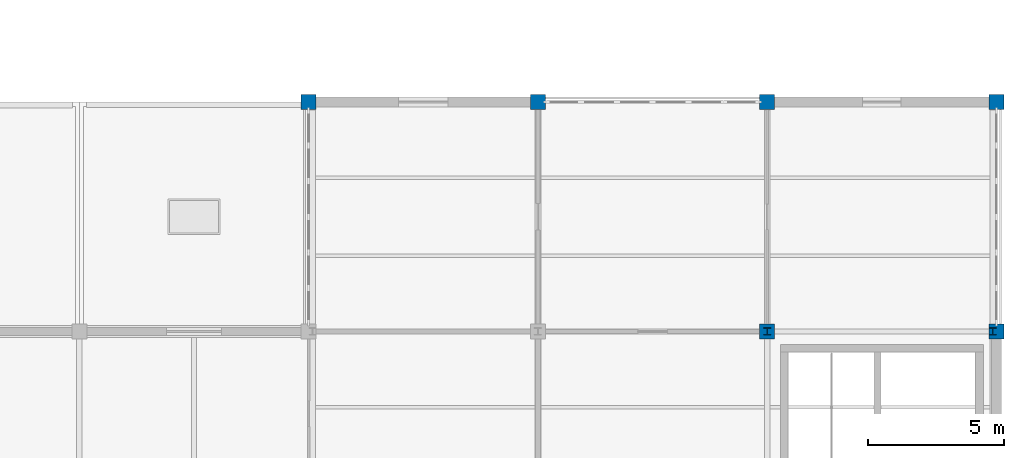
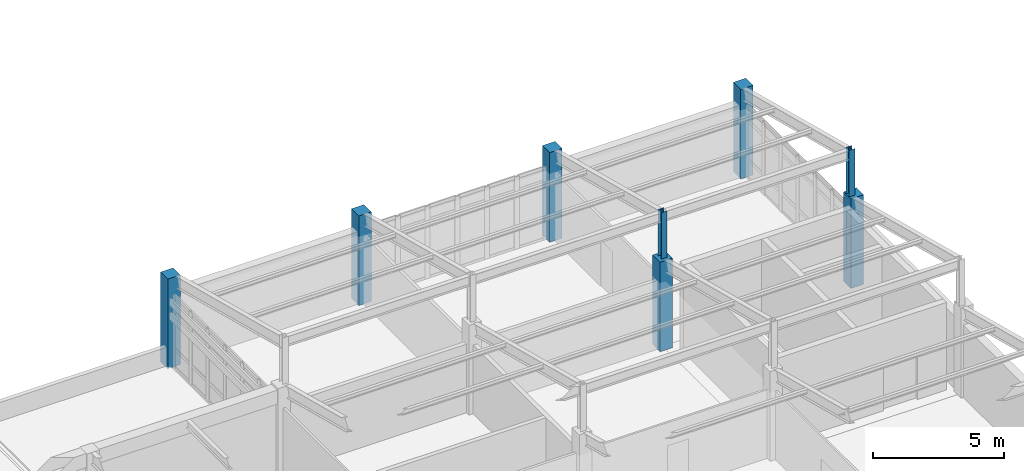
# One storey, part 8 of 74: 8 columns.
"""IFC4 building model written with IfcOpenShell, lengths in metres."""

from ifc_helpers import new_model, si_unit, direction, frame, origin, origin_2d, place, context, subcontext, project, spatial, rectangle, i_section, extrude, material, material_profile, profile_set, type_object, element, save


model = new_model("IFC4")

# Units and contexts
model_context = context("Model", 3, precision=1e-05, world=origin(), true_north=direction((0.0, 1.0)))
body_context = subcontext(model_context, "Body", "Model", "MODEL_VIEW")
ifc_project = project(units=[si_unit("LENGTHUNIT", "METRE"), si_unit("AREAUNIT", "SQUARE_METRE"), si_unit("VOLUMEUNIT", "CUBIC_METRE"), si_unit("PLANEANGLEUNIT", "RADIAN"), si_unit("MASSUNIT", "GRAM", prefix="KILO")], contexts=[model_context])

# Site, building, storey
site_placement = place(None, origin())
site = spatial("IfcSite", under=ifc_project, at=site_placement, CompositionType="ELEMENT")
building_placement = place(site_placement, origin())
building = spatial("IfcBuilding", under=site, at=building_placement, Name="Porcellanite Civic Hall", CompositionType="ELEMENT")
storey_placement = place(building_placement, frame((0.0, 0.0, 14.760009765625)))
storey = spatial("IfcBuildingStorey", under=building, at=storey_placement, Name="L03", CompositionType="ELEMENT", Elevation=14.760009765625)

# Columns
ifc_material_1 = material(Name="Concrete N50 (50 MPa)", Category="concrete")
ifc_material_profile_1 = material_profile(ifc_material_1, rectangle(XDim=0.550048828125, YDim=0.550048828125, at=origin_2d()), Name="RC-550x550")
ifc_profile_set_1 = profile_set([ifc_material_profile_1], Name="Concrete N50 (50 MPa)")
column_type_1 = type_object("IfcColumnType", Name="COL-550", PredefinedType="COLUMN", material=ifc_profile_set_1)
for number, where, z_axis, x_axis, name in (
    (1, (142.800048828125, 67.199951171875, 0.0), (0.0, 0.0, 1.0), (1.0, 0.0, 0.0), "Column L03 17-8"),
    (2, (151.199951171875, 67.199951171875, 0.0), (0.0, 0.0, 1.0), (1.0, 0.0, 0.0), "Column L03 18-8"),
    (3, (159.60009765625, 58.800048828125, 0.0), (0.0, 0.0, 1.0), (1.0, 0.0, 0.0), "Column L03 19-7"),
    (4, (159.60009765625, 67.199951171875, 0.0), (0.0, 0.0, 1.0), (1.0, 0.0, 0.0), "Column L03 19-8"),
    (5, (168.0, 58.800048828125, 0.0), (0.0, 0.0, 1.0), (1.0, 0.0, 0.0), "Column L03 20-7"),
    (6, (168.0, 67.199951171875, 0.0), (0.0, 0.0, 1.0), (1.0, 0.0, 0.0), "Column L03 20-8"),
):
    element("IfcColumn", number, at=place(storey_placement, frame(where, z_axis=z_axis, x_axis=x_axis)), inside=storey, type_object=column_type_1, Name=name, PredefinedType="COLUMN", context=body_context, shape_type="SweptSolid", body=[
        extrude(rectangle(XDim=0.550048828125, YDim=0.550048828125, at=origin_2d()), origin(), (0.0, 0.0, 1.0), 4.169921875),
    ])
ifc_material_2 = material(Name="Steel Grade 350", Category="steel")
ifc_material_profile_2 = material_profile(ifc_material_2, i_section(OverallWidth=0.25390625, OverallDepth=0.25390625, WebThickness=0.008544921875, FlangeThickness=0.01416015625, FilletRadius=0.0126953125, at=origin_2d()), Name="250UC72.9")
ifc_profile_set_2 = profile_set([ifc_material_profile_2], Name="Steel Grade 350")
column_type_2 = type_object("IfcColumnType", Name="SCOL-250UC73", PredefinedType="COLUMN", material=ifc_profile_set_2)
for number, where, z_axis, x_axis, name in (
    (7, (159.60009765625, 58.800048828125, 4.169921875), (0.0, 0.0, 1.0), (1.0, 0.0, 0.0), "Library sawtooth post 19-7"),
    (8, (167.860107421875, 58.800048828125, 4.169921875), (0.0, 0.0, 1.0), (1.0, 0.0, 0.0), "Library sawtooth post 20-7"),
):
    element("IfcColumn", number, at=place(storey_placement, frame(where, z_axis=z_axis, x_axis=x_axis)), inside=storey, type_object=column_type_2, Name=name, PredefinedType="COLUMN", context=body_context, shape_type="SweptSolid", body=[
        extrude(i_section(OverallWidth=0.25390625, OverallDepth=0.25390625, WebThickness=0.008544921875, FlangeThickness=0.01416015625, FilletRadius=0.0126953125, at=origin_2d()), origin(), (0.0, 0.0, 1.0), 2.157470703125),
    ])

save(model, "model.ifc")
